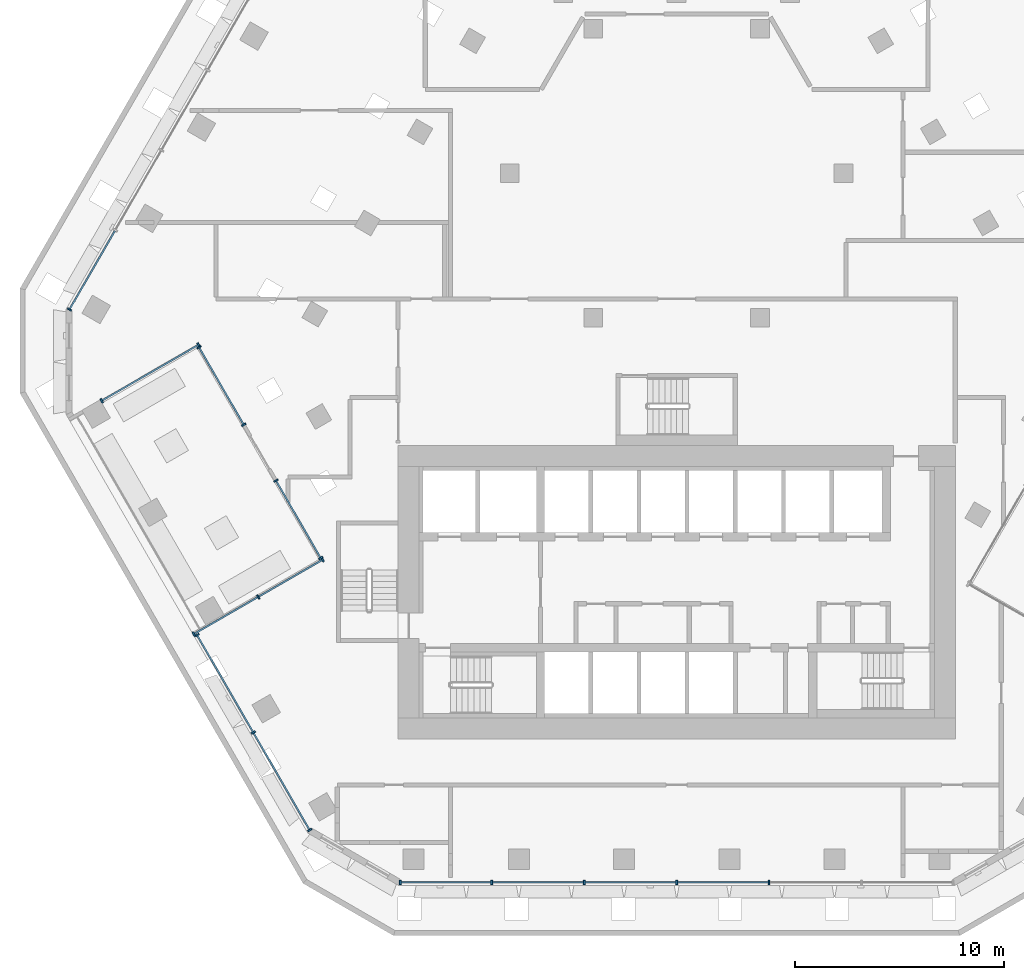
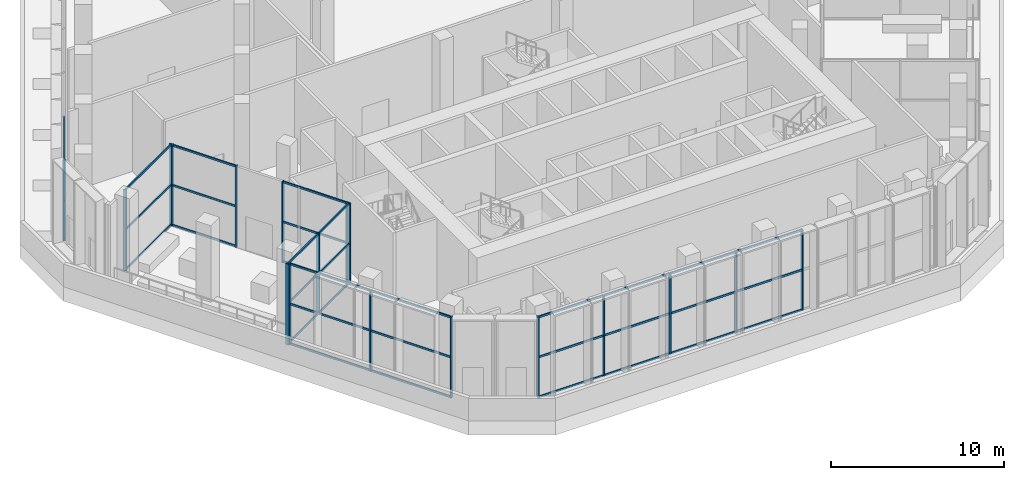
# One storey, part 2 of 23: 54 members, 7 elements without a shape of their own.
"""IFC4 building model written with IfcOpenShell, lengths in metres."""

import ifcopenshell
import ifcopenshell.guid

model = None  # the IFC model being written
_history = None  # IfcOwnerHistory: only IFC2X3 demands one
_inside = {}  # id of a spatial element -> (the spatial element, [elements in it])
_under = {}  # id of a project, library or spatial element -> (it, [spatial elements below it])
_declared = {}  # id of a project -> (the project, [libraries it declares])
_typed = {}  # id of a type object -> (the type object, [elements of that type])
_made_of = {}  # id of a material, layer set ... -> (it, [elements and type objects made of it])


def new_model(schema):
    """Start an empty IFC model of exactly this schema.

    Asked for "IFC4X3", IfcOpenShell would pick the latest addendum, in which some entities
    have other attributes; the version numbers below select the first issue.
    IFC2X3 requires an IfcOwnerHistory on every rooted entity: one is made here for all.
    """
    global model, _history
    if schema == "IFC4X3":
        model = ifcopenshell.file(schema_version=(4, 3, 0, 0))
    else:
        model = ifcopenshell.file(schema=schema)
    _inside.clear()
    _under.clear()
    _declared.clear()
    _typed.clear()
    _made_of.clear()
    _history = None
    if model.schema == "IFC2X3":
        org = make("IfcOrganization", Name="unknown")
        user = make(
            "IfcPersonAndOrganization",
            ThePerson=make("IfcPerson", FamilyName="unknown"),
            TheOrganization=org,
        )
        app = make(
            "IfcApplication",
            ApplicationDeveloper=org,
            Version="unknown",
            ApplicationFullName="unknown",
            ApplicationIdentifier="unknown",
        )
        _history = make(
            "IfcOwnerHistory",
            OwningUser=user,
            OwningApplication=app,
            ChangeAction="ADDED",
            CreationDate=0,
        )
    return model


def make(cls, **values):
    """One entity of the class cls with the attributes given. An attribute that is None is left unset."""
    return model.create_entity(
        cls, **{name: value for name, value in values.items() if value is not None}
    )


def rooted(cls, **values):
    """An entity with a GlobalId (a new one), such as an element, a storey or a relation."""
    return make(cls, GlobalId=ifcopenshell.guid.new(), OwnerHistory=_history, **values)


def si_unit(unit_type, name, prefix=None):
    """IfcSIUnit, for example si_unit("LENGTHUNIT", "METRE", prefix="MILLI")."""
    return make("IfcSIUnit", UnitType=unit_type, Prefix=prefix, Name=name)


def assignment(units):
    """IfcUnitAssignment: the units of a project."""
    return None if units is None else make("IfcUnitAssignment", Units=units)


def point(xyz):
    """IfcCartesianPoint."""
    return None if xyz is None else make("IfcCartesianPoint", Coordinates=xyz)


def direction(xyz):
    """IfcDirection."""
    return None if xyz is None else make("IfcDirection", DirectionRatios=xyz)


def frame(location, z_axis=None, x_axis=None):
    """IfcAxis2Placement3D, a coordinate frame: its origin and axes. An axis left out is left unset."""
    return make(
        "IfcAxis2Placement3D",
        Location=point(location),
        Axis=direction(z_axis),
        RefDirection=direction(x_axis),
    )


def frame_2d(location, x_axis=None):
    """IfcAxis2Placement2D, a coordinate frame in the plane: its origin and x axis."""
    return make(
        "IfcAxis2Placement2D", Location=point(location), RefDirection=direction(x_axis)
    )


def origin():
    """The frame at (0, 0, 0) with its axes left unset."""
    return frame((0.0, 0.0, 0.0))


def origin_2d():
    """The frame at (0, 0) in the plane with its x axis left unset."""
    return frame_2d((0.0, 0.0))


def place(relative_to, where):
    """IfcLocalPlacement: puts the frame where relative to a parent placement (None: the world)."""
    return make(
        "IfcLocalPlacement", PlacementRelTo=relative_to, RelativePlacement=where
    )


def context(
    kind, dimensions, precision=None, world=None, true_north=None, identifier=None
):
    """IfcGeometricRepresentationContext, for example the 3D "Model" context."""
    return make(
        "IfcGeometricRepresentationContext",
        ContextIdentifier=identifier,
        ContextType=kind,
        CoordinateSpaceDimension=dimensions,
        Precision=precision,
        WorldCoordinateSystem=world,
        TrueNorth=true_north,
    )


def subcontext(parent, identifier, kind, view, scale=None):
    """IfcGeometricRepresentationSubContext, for example "Body" below "Model"."""
    return make(
        "IfcGeometricRepresentationSubContext",
        ContextIdentifier=identifier,
        ContextType=kind,
        ParentContext=parent,
        TargetScale=scale,
        TargetView=view,
    )


def project(units=None, contexts=None):
    """IfcProject with its units and contexts."""
    return rooted(
        "IfcProject",
        Name="project",
        RepresentationContexts=contexts,
        UnitsInContext=assignment(units),
    )


def spatial(cls, under=None, at=None, **own):
    """A site, building, storey or space (cls), placed at a placement, below another one or the project."""
    s = rooted(cls, ObjectPlacement=at, **own)
    if under is not None:
        _under.setdefault(under.id(), (under, []))[1].append(s)
    return s


def profile(cls, at=None, kind="AREA", **sizes):
    """A parametric profile (cls). Its sizes go by their IFC names, for example OverallWidth=200.0."""
    return make(cls, ProfileType=kind, Position=at, **sizes)


def rectangle(**sizes):
    """IfcRectangleProfileDef."""
    return profile("IfcRectangleProfileDef", **sizes)


def hollow_rectangle(**sizes):
    """IfcRectangleHollowProfileDef."""
    return profile("IfcRectangleHollowProfileDef", **sizes)


def extrude(swept, where, along, depth):
    """IfcExtrudedAreaSolid: the profile swept, set in the frame where, extruded along a direction by depth."""
    return make(
        "IfcExtrudedAreaSolid",
        SweptArea=swept,
        Position=where,
        ExtrudedDirection=direction(along),
        Depth=depth,
    )


def shape(context_of_items, identifier, shape_type, items):
    """IfcShapeRepresentation: the items that make up one representation, for example the "Body"."""
    return make(
        "IfcShapeRepresentation",
        ContextOfItems=context_of_items,
        RepresentationIdentifier=identifier,
        RepresentationType=shape_type,
        Items=items,
    )


def material(Name=None, Category=None):
    """IfcMaterial."""
    return make("IfcMaterial", Name=Name, Category=Category)


def material_profile(
    of_material, cross_section, Name=None, Category=None, Priority=None
):
    """IfcMaterialProfile: a cross section and its material."""
    return make(
        "IfcMaterialProfile",
        Name=Name,
        Material=of_material,
        Profile=cross_section,
        Priority=Priority,
        Category=Category,
    )


def profile_set(profiles, Name=None, composite=None):
    """IfcMaterialProfileSet."""
    return make(
        "IfcMaterialProfileSet",
        Name=Name,
        MaterialProfiles=profiles,
        CompositeProfile=composite,
    )


def made_of(thing, what):
    """Note that an element or type object is made of a material, layer set ...; save() writes the relation."""
    if what is not None:
        _made_of.setdefault(what.id(), (what, []))[1].append(thing)
    return thing


def type_object(cls, material=None, **own):
    """A type object (cls), such as IfcWallType, which elements share."""
    return made_of(rooted(cls, **own), material)


def element(
    cls,
    number,
    at=None,
    inside=None,
    cuts=None,
    type_object=None,
    material=None,
    context=None,
    identifier="Body",
    shape_type=None,
    held_by="IfcProductDefinitionShape",
    body=None,
    shapes=None,
    **own,
):
    """One element of the class cls, such as IfcWall. Its Tag is "e" and its number.

    at: its placement. inside: the storey or other place that contains it. cuts: it is an
    opening in that element (IfcRelVoidsElement). A single representation is given by context,
    identifier, shape_type and body (its items); several are given by shapes. held_by: the class
    of the entity that holds the representations. save() writes the other relations.
    """
    e = rooted(cls, Tag="e%d" % number, ObjectPlacement=at, **own)
    if body is not None:
        shapes = [shape(context, identifier, shape_type, body)]
    if shapes is not None:
        e.Representation = make(held_by, Representations=shapes)
    if inside is not None:
        _inside.setdefault(inside.id(), (inside, []))[1].append(e)
    if cuts is not None:
        rooted(
            "IfcRelVoidsElement", RelatingBuildingElement=cuts, RelatedOpeningElement=e
        )
    if type_object is not None:
        _typed.setdefault(type_object.id(), (type_object, []))[1].append(e)
    return made_of(e, material)


def aggregate(whole, parts):
    """IfcRelAggregates: a whole, such as a stair, and the parts it consists of."""
    return rooted("IfcRelAggregates", RelatingObject=whole, RelatedObjects=parts)


def save(model, path):
    """Write the relations noted so far, then the file.

    IfcRelAggregates (storeys below a building ...), IfcRelContainedInSpatialStructure (elements
    in a storey), IfcRelDefinesByType, IfcRelAssociatesMaterial and IfcRelDeclares: one each for
    every whole, place, type object, material and project.
    """
    for whole, parts in _under.values():
        aggregate(whole, parts)
    for where, things in _inside.values():
        rooted(
            "IfcRelContainedInSpatialStructure",
            RelatedElements=things,
            RelatingStructure=where,
        )
    for kind, things in _typed.values():
        rooted("IfcRelDefinesByType", RelatedObjects=things, RelatingType=kind)
    for what, things in _made_of.values():
        rooted("IfcRelAssociatesMaterial", RelatedObjects=things, RelatingMaterial=what)
    for by, libraries in _declared.values():
        rooted("IfcRelDeclares", RelatingContext=by, RelatedDefinitions=libraries)
    model.write(path)


model = new_model("IFC4")

# Units and contexts
model_context = context("Model", 3, precision=1e-05, world=origin(), true_north=direction((0.0, 1.0)))
body_context = subcontext(model_context, "Body", "Model", "MODEL_VIEW")
ifc_project = project(units=[si_unit("LENGTHUNIT", "METRE"), si_unit("AREAUNIT", "SQUARE_METRE"), si_unit("VOLUMEUNIT", "CUBIC_METRE"), si_unit("PLANEANGLEUNIT", "RADIAN"), si_unit("MASSUNIT", "GRAM", prefix="KILO")], contexts=[model_context])

# Site, building, storey
site_placement = place(None, origin())
site = spatial("IfcSite", under=ifc_project, at=site_placement, CompositionType="ELEMENT")
building_placement = place(site_placement, origin())
building = spatial("IfcBuilding", under=site, at=building_placement, Name="Beryl Residences", CompositionType="ELEMENT")
storey_placement = place(building_placement, frame((0.0, 0.0, 66.0)))
storey = spatial("IfcBuildingStorey", under=building, at=storey_placement, Name="L20", CompositionType="ELEMENT", Elevation=66.0)

# Curtain wall, member
ifc_material_1 = material(Name="Aluminium and clear glass", Category="aluminium")
curtain_wall_type = type_object("IfcCurtainWallType", Name="CW3 sky garden glazing glazed wall", PredefinedType="NOTDEFINED", material=ifc_material_1)
curtain_wall_1_placement = place(storey_placement, origin())
curtain_wall_1 = element("IfcCurtainWall", 1, at=curtain_wall_1_placement, inside=storey, type_object=curtain_wall_type, Name="CW3 L20 NW", PredefinedType="NOTDEFINED")
ifc_material_2 = material(Name="Aluminium", Category="aluminium")
ifc_material_profile_1 = material_profile(ifc_material_2, rectangle(XDim=0.080078125, YDim=0.219970703125, at=origin_2d()))
ifc_profile_set_1 = profile_set([ifc_material_profile_1], Name="Aluminium")
member_type_1 = type_object("IfcMemberType", Name="CW3-M mullion 80 x 220 mm", PredefinedType="MULLION", material=ifc_profile_set_1)
member_1_placement = place(storey_placement, frame((-28.987060546875, 1.49462890625, 0.0), z_axis=(0.0, 0.0, 1.0), x_axis=(-0.500010149942, -0.866019543634, 0.0)))
member_1 = element("IfcMember", 2, at=member_1_placement, type_object=member_type_1, Name="CW3 mullion 7", PredefinedType="MULLION", context=body_context, shape_type="SweptSolid", body=[
    extrude(rectangle(XDim=0.080078125, YDim=0.219970703125, at=origin_2d()), origin(), (0.0, 0.0, 1.0), 5.699951171875),
])

# Curtain wall, members
curtain_wall_2_placement = place(storey_placement, origin())
curtain_wall_2 = element("IfcCurtainWall", 3, at=curtain_wall_2_placement, inside=storey, type_object=curtain_wall_type, Name="CW3 L20 SW", PredefinedType="NOTDEFINED")
member_2_placement = place(storey_placement, frame((-22.89599609375, -14.044677734375, 0.0), z_axis=(0.0, 0.0, 1.0), x_axis=(0.50003146918, -0.866007234283, 0.0)))
member_2 = element("IfcMember", 4, at=member_2_placement, type_object=member_type_1, Name="CW3 mullion 1", PredefinedType="MULLION", context=body_context, shape_type="SweptSolid", body=[
    extrude(rectangle(XDim=0.080078125, YDim=0.219970703125, at=origin_2d()), origin(), (0.0, 0.0, 1.0), 5.699951171875),
])
member_3_placement = place(storey_placement, frame((-20.2080078125, -18.699951171875, 0.0), z_axis=(0.0, 0.0, 1.0), x_axis=(0.50003146918, -0.866007234283, 0.0)))
member_3 = element("IfcMember", 5, at=member_3_placement, type_object=member_type_1, Name="CW3 mullion 2", PredefinedType="MULLION", context=body_context, shape_type="SweptSolid", body=[
    extrude(rectangle(XDim=0.080078125, YDim=0.219970703125, at=origin_2d()), origin(), (0.0, 0.0, 1.0), 5.699951171875),
])
member_4_placement = place(storey_placement, frame((-17.52001953125, -23.35546875, 0.0), z_axis=(0.0, 0.0, 1.0), x_axis=(0.50003146918, -0.866007234283, 0.0)))
member_4 = element("IfcMember", 6, at=member_4_placement, type_object=member_type_1, Name="CW3 mullion 3", PredefinedType="MULLION", context=body_context, shape_type="SweptSolid", body=[
    extrude(rectangle(XDim=0.080078125, YDim=0.219970703125, at=origin_2d()), origin(), (0.0, 0.0, 1.0), 5.699951171875),
])

curtain_wall_3_placement = place(storey_placement, origin())
curtain_wall_3 = element("IfcCurtainWall", 7, at=curtain_wall_3_placement, inside=storey, type_object=curtain_wall_type, Name="CW3 L20 S", PredefinedType="NOTDEFINED")
member_5_placement = place(storey_placement, frame((-13.198974609375, -25.85009765625, 0.0), z_axis=(0.0, 0.0, 1.0), x_axis=(1.0, 0.0, 0.0)))
member_5 = element("IfcMember", 8, at=member_5_placement, type_object=member_type_1, Name="CW3 mullion 1", PredefinedType="MULLION", context=body_context, shape_type="SweptSolid", body=[
    extrude(rectangle(XDim=0.080078125, YDim=0.219970703125, at=origin_2d()), origin(), (0.0, 0.0, 1.0), 5.699951171875),
])
member_6_placement = place(storey_placement, frame((-8.825927734375, -25.85009765625, 0.0), z_axis=(0.0, 0.0, 1.0), x_axis=(1.0, 0.0, 0.0)))
member_6 = element("IfcMember", 9, at=member_6_placement, type_object=member_type_1, Name="CW3 mullion 2", PredefinedType="MULLION", context=body_context, shape_type="SweptSolid", body=[
    extrude(rectangle(XDim=0.080078125, YDim=0.219970703125, at=origin_2d()), origin(), (0.0, 0.0, 1.0), 5.699951171875),
])
member_7_placement = place(storey_placement, frame((-4.4130859375, -25.85009765625, 0.0), z_axis=(0.0, 0.0, 1.0), x_axis=(1.0, 0.0, 0.0)))
member_7 = element("IfcMember", 10, at=member_7_placement, type_object=member_type_1, Name="CW3 mullion 3", PredefinedType="MULLION", context=body_context, shape_type="SweptSolid", body=[
    extrude(rectangle(XDim=0.080078125, YDim=0.219970703125, at=origin_2d()), origin(), (0.0, 0.0, 1.0), 5.699951171875),
])
member_8_placement = place(storey_placement, frame((0.0, -25.85009765625, 0.0), z_axis=(0.0, 0.0, 1.0), x_axis=(1.0, 0.0, 0.0)))
member_8 = element("IfcMember", 11, at=member_8_placement, type_object=member_type_1, Name="CW3 mullion 4", PredefinedType="MULLION", context=body_context, shape_type="SweptSolid", body=[
    extrude(rectangle(XDim=0.080078125, YDim=0.219970703125, at=origin_2d()), origin(), (0.0, 0.0, 1.0), 5.699951171875),
])
member_9_placement = place(storey_placement, frame((4.4130859375, -25.85009765625, 0.0), z_axis=(0.0, 0.0, 1.0), x_axis=(1.0, 0.0, 0.0)))
member_9 = element("IfcMember", 12, at=member_9_placement, type_object=member_type_1, Name="CW3 mullion 5", PredefinedType="MULLION", context=body_context, shape_type="SweptSolid", body=[
    extrude(rectangle(XDim=0.080078125, YDim=0.219970703125, at=origin_2d()), origin(), (0.0, 0.0, 1.0), 5.699951171875),
])

curtain_wall_4_placement = place(storey_placement, origin())
curtain_wall_4 = element("IfcCurtainWall", 13, at=curtain_wall_4_placement, inside=storey, type_object=curtain_wall_type, Name="CW3 L20 SW garden back", PredefinedType="NOTDEFINED")
member_10_placement = place(storey_placement, frame((-22.801025390625, -0.30859375, 0.0), z_axis=(0.0, 0.0, 1.0), x_axis=(0.499948064448, -0.866055386713, 0.0)))
member_10 = element("IfcMember", 14, at=member_10_placement, type_object=member_type_1, Name="CW3 mullion 1", PredefinedType="MULLION", context=body_context, shape_type="SweptSolid", body=[
    extrude(rectangle(XDim=0.080078125, YDim=0.219970703125, at=origin_2d()), origin(), (0.0, 0.0, 1.0), 5.699951171875),
])
member_11_placement = place(storey_placement, frame((-20.6669921875, -4.00537109375, 0.0), z_axis=(0.0, 0.0, 1.0), x_axis=(0.499948064448, -0.866055386713, 0.0)))
member_11 = element("IfcMember", 15, at=member_11_placement, type_object=member_type_1, Name="CW3 mullion 2", PredefinedType="MULLION", context=body_context, shape_type="SweptSolid", body=[
    extrude(rectangle(XDim=0.080078125, YDim=0.219970703125, at=origin_2d()), origin(), (0.0, 0.0, 1.0), 5.699951171875),
])

curtain_wall_5_placement = place(storey_placement, origin())
curtain_wall_5 = element("IfcCurtainWall", 16, at=curtain_wall_5_placement, inside=storey, type_object=curtain_wall_type, Name="CW3 L20 SW garden back", PredefinedType="NOTDEFINED")
member_12_placement = place(storey_placement, frame((-19.126953125, -6.672607421875, 0.0), z_axis=(0.0, 0.0, 1.0), x_axis=(0.500020955207, -0.866013304952, 0.0)))
member_12 = element("IfcMember", 17, at=member_12_placement, type_object=member_type_1, Name="CW3 mullion 1", PredefinedType="MULLION", context=body_context, shape_type="SweptSolid", body=[
    extrude(rectangle(XDim=0.080078125, YDim=0.219970703125, at=origin_2d()), origin(), (0.0, 0.0, 1.0), 5.699951171875),
])
member_13_placement = place(storey_placement, frame((-16.991943359375, -10.370361328125, 0.0), z_axis=(0.0, 0.0, 1.0), x_axis=(0.500020955207, -0.866013304952, 0.0)))
member_13 = element("IfcMember", 18, at=member_13_placement, type_object=member_type_1, Name="CW3 mullion 2", PredefinedType="MULLION", context=body_context, shape_type="SweptSolid", body=[
    extrude(rectangle(XDim=0.080078125, YDim=0.219970703125, at=origin_2d()), origin(), (0.0, 0.0, 1.0), 5.699951171875),
])

curtain_wall_6_placement = place(storey_placement, origin())
curtain_wall_6 = element("IfcCurtainWall", 19, at=curtain_wall_6_placement, inside=storey, type_object=curtain_wall_type, Name="CW3 L20 SW garden left", PredefinedType="NOTDEFINED")
member_14_placement = place(storey_placement, frame((-27.452392578125, -2.862060546875, 0.0), z_axis=(0.0, 0.0, 1.0), x_axis=(0.866031967745, 0.499988630715, 0.0)))
member_14 = element("IfcMember", 20, at=member_14_placement, type_object=member_type_1, Name="CW3 mullion 1", PredefinedType="MULLION", context=body_context, shape_type="SweptSolid", body=[
    extrude(rectangle(XDim=0.080078125, YDim=0.219970703125, at=origin_2d()), origin(), (0.0, 0.0, 1.0), 5.699951171875),
])
member_15_placement = place(storey_placement, frame((-22.82763671875, -0.19189453125, 0.0), z_axis=(0.0, 0.0, 1.0), x_axis=(0.866031967745, 0.499988630715, 0.0)))
member_15 = element("IfcMember", 21, at=member_15_placement, type_object=member_type_1, Name="CW3 mullion 2", PredefinedType="MULLION", context=body_context, shape_type="SweptSolid", body=[
    extrude(rectangle(XDim=0.080078125, YDim=0.219970703125, at=origin_2d()), origin(), (0.0, 0.0, 1.0), 5.699951171875),
])

curtain_wall_7_placement = place(storey_placement, origin())
curtain_wall_7 = element("IfcCurtainWall", 22, at=curtain_wall_7_placement, inside=storey, type_object=curtain_wall_type, Name="CW3 L20 SW garden right", PredefinedType="NOTDEFINED")
member_16_placement = place(storey_placement, frame((-23.04833984375, -14.0, 0.0), z_axis=(0.0, 0.0, 1.0), x_axis=(0.866004557823, 0.500036104527, 0.0)))
member_16 = element("IfcMember", 23, at=member_16_placement, type_object=member_type_1, Name="CW3 mullion 1", PredefinedType="MULLION", context=body_context, shape_type="SweptSolid", body=[
    extrude(rectangle(XDim=0.080078125, YDim=0.219970703125, at=origin_2d()), origin(), (0.0, 0.0, 1.0), 5.699951171875),
])
member_17_placement = place(storey_placement, frame((-19.97607421875, -12.22607421875, 0.0), z_axis=(0.0, 0.0, 1.0), x_axis=(0.866004557823, 0.500036104527, 0.0)))
member_17 = element("IfcMember", 24, at=member_17_placement, type_object=member_type_1, Name="CW3 mullion 2", PredefinedType="MULLION", context=body_context, shape_type="SweptSolid", body=[
    extrude(rectangle(XDim=0.080078125, YDim=0.219970703125, at=origin_2d()), origin(), (0.0, 0.0, 1.0), 5.699951171875),
])
member_18_placement = place(storey_placement, frame((-16.903564453125, -10.451904296875, 0.0), z_axis=(0.0, 0.0, 1.0), x_axis=(0.866004557823, 0.500036104527, 0.0)))
member_18 = element("IfcMember", 25, at=member_18_placement, type_object=member_type_1, Name="CW3 mullion 3", PredefinedType="MULLION", context=body_context, shape_type="SweptSolid", body=[
    extrude(rectangle(XDim=0.080078125, YDim=0.219970703125, at=origin_2d()), origin(), (0.0, 0.0, 1.0), 5.699951171875),
])

# Member
ifc_material_3 = material(Name="Aluminium", Category="aluminium")
ifc_material_profile_2 = material_profile(ifc_material_3, hollow_rectangle(XDim=0.080078125, YDim=0.139892578125, WallThickness=0.00390625, at=origin_2d()))
ifc_profile_set_2 = profile_set([ifc_material_profile_2], Name="Aluminium")
member_type_2 = type_object("IfcMemberType", Name="CW3-T transom 80 x 140 mm", PredefinedType="USERDEFINED", material=ifc_profile_set_2)
member_19_placement = place(storey_placement, frame((-26.820556640625, 5.2470703125, 0.0400390625), z_axis=(-0.500004696101, -0.866022692473, 0.0), x_axis=(0.866022692473, -0.500004696101, 0.0)))
member_19 = element("IfcMember", 26, at=member_19_placement, type_object=member_type_2, Name="CW3 transom 6.1", ObjectType="TRANSOM", PredefinedType="USERDEFINED", context=body_context, shape_type="SweptSolid", body=[
    extrude(hollow_rectangle(XDim=0.080078125, YDim=0.139892578125, WallThickness=0.00390625, at=origin_2d()), origin(), (0.0, 0.0, 1.0), 4.29296875),
])

member_20_placement = place(storey_placement, frame((-26.820556640625, 5.2470703125, 2.85009765625), z_axis=(-0.500004696101, -0.866022692473, 0.0), x_axis=(0.866022692473, -0.500004696101, 0.0)))
member_20 = element("IfcMember", 27, at=member_20_placement, type_object=member_type_2, Name="CW3 transom 6.2", ObjectType="TRANSOM", PredefinedType="USERDEFINED", context=body_context, shape_type="SweptSolid", body=[
    extrude(hollow_rectangle(XDim=0.080078125, YDim=0.139892578125, WallThickness=0.00390625, at=origin_2d()), origin(), (0.0, 0.0, 1.0), 4.29296875),
])

member_21_placement = place(storey_placement, frame((-26.820556640625, 5.2470703125, 5.659912109375), z_axis=(-0.500004696101, -0.866022692473, 0.0), x_axis=(0.866022692473, -0.500004696101, 0.0)))
member_21 = element("IfcMember", 28, at=member_21_placement, type_object=member_type_2, Name="CW3 transom 6.3", ObjectType="TRANSOM", PredefinedType="USERDEFINED", context=body_context, shape_type="SweptSolid", body=[
    extrude(hollow_rectangle(XDim=0.080078125, YDim=0.139892578125, WallThickness=0.00390625, at=origin_2d()), origin(), (0.0, 0.0, 1.0), 4.29296875),
])

aggregate(curtain_wall_1, [member_1, member_19, member_20, member_21])

member_22_placement = place(storey_placement, frame((-22.8759765625, -14.079345703125, 0.0400390625), z_axis=(0.500036393857, -0.866004390762, 0.0), x_axis=(0.866004390762, 0.500036393857, 0.0)))
member_22 = element("IfcMember", 29, at=member_22_placement, type_object=member_type_2, Name="CW3 transom 1.1", ObjectType="TRANSOM", PredefinedType="USERDEFINED", context=body_context, shape_type="SweptSolid", body=[
    extrude(hollow_rectangle(XDim=0.080078125, YDim=0.139892578125, WallThickness=0.00390625, at=origin_2d()), origin(), (0.0, 0.0, 1.0), 5.29541015625),
])

member_23_placement = place(storey_placement, frame((-22.8759765625, -14.079345703125, 2.85009765625), z_axis=(0.500036393857, -0.866004390762, 0.0), x_axis=(0.866004390762, 0.500036393857, 0.0)))
member_23 = element("IfcMember", 30, at=member_23_placement, type_object=member_type_2, Name="CW3 transom 1.2", ObjectType="TRANSOM", PredefinedType="USERDEFINED", context=body_context, shape_type="SweptSolid", body=[
    extrude(hollow_rectangle(XDim=0.080078125, YDim=0.139892578125, WallThickness=0.00390625, at=origin_2d()), origin(), (0.0, 0.0, 1.0), 5.29541015625),
])

member_24_placement = place(storey_placement, frame((-22.8759765625, -14.079345703125, 5.659912109375), z_axis=(0.500036393857, -0.866004390762, 0.0), x_axis=(0.866004390762, 0.500036393857, 0.0)))
member_24 = element("IfcMember", 31, at=member_24_placement, type_object=member_type_2, Name="CW3 transom 1.3", ObjectType="TRANSOM", PredefinedType="USERDEFINED", context=body_context, shape_type="SweptSolid", body=[
    extrude(hollow_rectangle(XDim=0.080078125, YDim=0.139892578125, WallThickness=0.00390625, at=origin_2d()), origin(), (0.0, 0.0, 1.0), 5.29541015625),
])

member_25_placement = place(storey_placement, frame((-20.18798828125, -18.734619140625, 0.0400390625), z_axis=(0.500016430238, -0.866015917575, 0.0), x_axis=(0.866015917575, 0.500016430238, 0.0)))
member_25 = element("IfcMember", 32, at=member_25_placement, type_object=member_type_2, Name="CW3 transom 2.1", ObjectType="TRANSOM", PredefinedType="USERDEFINED", context=body_context, shape_type="SweptSolid", body=[
    extrude(hollow_rectangle(XDim=0.080078125, YDim=0.139892578125, WallThickness=0.00390625, at=origin_2d()), origin(), (0.0, 0.0, 1.0), 5.295654296875),
])

member_26_placement = place(storey_placement, frame((-20.18798828125, -18.734619140625, 2.85009765625), z_axis=(0.500016430238, -0.866015917575, 0.0), x_axis=(0.866015917575, 0.500016430238, 0.0)))
member_26 = element("IfcMember", 33, at=member_26_placement, type_object=member_type_2, Name="CW3 transom 2.2", ObjectType="TRANSOM", PredefinedType="USERDEFINED", context=body_context, shape_type="SweptSolid", body=[
    extrude(hollow_rectangle(XDim=0.080078125, YDim=0.139892578125, WallThickness=0.00390625, at=origin_2d()), origin(), (0.0, 0.0, 1.0), 5.295654296875),
])

member_27_placement = place(storey_placement, frame((-20.18798828125, -18.734619140625, 5.659912109375), z_axis=(0.500016430238, -0.866015917575, 0.0), x_axis=(0.866015917575, 0.500016430238, 0.0)))
member_27 = element("IfcMember", 34, at=member_27_placement, type_object=member_type_2, Name="CW3 transom 2.3", ObjectType="TRANSOM", PredefinedType="USERDEFINED", context=body_context, shape_type="SweptSolid", body=[
    extrude(hollow_rectangle(XDim=0.080078125, YDim=0.139892578125, WallThickness=0.00390625, at=origin_2d()), origin(), (0.0, 0.0, 1.0), 5.295654296875),
])

aggregate(curtain_wall_2, [member_2, member_3, member_4, member_22, member_23, member_24, member_25, member_26, member_27])

member_28_placement = place(storey_placement, frame((-13.158935546875, -25.85009765625, 0.0400390625), z_axis=(1.0, 0.0, 0.0), x_axis=(0.0, 1.0, 0.0)))
member_28 = element("IfcMember", 35, at=member_28_placement, type_object=member_type_2, Name="CW3 transom 1.1", ObjectType="TRANSOM", PredefinedType="USERDEFINED", context=body_context, shape_type="SweptSolid", body=[
    extrude(hollow_rectangle(XDim=0.080078125, YDim=0.139892578125, WallThickness=0.00390625, at=origin_2d()), origin(), (0.0, 0.0, 1.0), 4.29296875),
])

member_29_placement = place(storey_placement, frame((-13.158935546875, -25.85009765625, 2.85009765625), z_axis=(1.0, 0.0, 0.0), x_axis=(0.0, 1.0, 0.0)))
member_29 = element("IfcMember", 36, at=member_29_placement, type_object=member_type_2, Name="CW3 transom 1.2", ObjectType="TRANSOM", PredefinedType="USERDEFINED", context=body_context, shape_type="SweptSolid", body=[
    extrude(hollow_rectangle(XDim=0.080078125, YDim=0.139892578125, WallThickness=0.00390625, at=origin_2d()), origin(), (0.0, 0.0, 1.0), 4.29296875),
])

member_30_placement = place(storey_placement, frame((-13.158935546875, -25.85009765625, 5.659912109375), z_axis=(1.0, 0.0, 0.0), x_axis=(0.0, 1.0, 0.0)))
member_30 = element("IfcMember", 37, at=member_30_placement, type_object=member_type_2, Name="CW3 transom 1.3", ObjectType="TRANSOM", PredefinedType="USERDEFINED", context=body_context, shape_type="SweptSolid", body=[
    extrude(hollow_rectangle(XDim=0.080078125, YDim=0.139892578125, WallThickness=0.00390625, at=origin_2d()), origin(), (0.0, 0.0, 1.0), 4.29296875),
])

member_31_placement = place(storey_placement, frame((-8.785888671875, -25.85009765625, 0.0400390625), z_axis=(1.0, 0.0, 0.0), x_axis=(0.0, 1.0, 0.0)))
member_31 = element("IfcMember", 38, at=member_31_placement, type_object=member_type_2, Name="CW3 transom 2.1", ObjectType="TRANSOM", PredefinedType="USERDEFINED", context=body_context, shape_type="SweptSolid", body=[
    extrude(hollow_rectangle(XDim=0.080078125, YDim=0.139892578125, WallThickness=0.00390625, at=origin_2d()), origin(), (0.0, 0.0, 1.0), 4.3330078125),
])

member_32_placement = place(storey_placement, frame((-8.785888671875, -25.85009765625, 2.85009765625), z_axis=(1.0, 0.0, 0.0), x_axis=(0.0, 1.0, 0.0)))
member_32 = element("IfcMember", 39, at=member_32_placement, type_object=member_type_2, Name="CW3 transom 2.2", ObjectType="TRANSOM", PredefinedType="USERDEFINED", context=body_context, shape_type="SweptSolid", body=[
    extrude(hollow_rectangle(XDim=0.080078125, YDim=0.139892578125, WallThickness=0.00390625, at=origin_2d()), origin(), (0.0, 0.0, 1.0), 4.3330078125),
])

member_33_placement = place(storey_placement, frame((-8.785888671875, -25.85009765625, 5.659912109375), z_axis=(1.0, 0.0, 0.0), x_axis=(0.0, 1.0, 0.0)))
member_33 = element("IfcMember", 40, at=member_33_placement, type_object=member_type_2, Name="CW3 transom 2.3", ObjectType="TRANSOM", PredefinedType="USERDEFINED", context=body_context, shape_type="SweptSolid", body=[
    extrude(hollow_rectangle(XDim=0.080078125, YDim=0.139892578125, WallThickness=0.00390625, at=origin_2d()), origin(), (0.0, 0.0, 1.0), 4.3330078125),
])

member_34_placement = place(storey_placement, frame((-4.373046875, -25.85009765625, 0.0400390625), z_axis=(1.0, 0.0, 0.0), x_axis=(0.0, 1.0, 0.0)))
member_34 = element("IfcMember", 41, at=member_34_placement, type_object=member_type_2, Name="CW3 transom 3.1", ObjectType="TRANSOM", PredefinedType="USERDEFINED", context=body_context, shape_type="SweptSolid", body=[
    extrude(hollow_rectangle(XDim=0.080078125, YDim=0.139892578125, WallThickness=0.00390625, at=origin_2d()), origin(), (0.0, 0.0, 1.0), 4.3330078125),
])

member_35_placement = place(storey_placement, frame((-4.373046875, -25.85009765625, 2.85009765625), z_axis=(1.0, 0.0, 0.0), x_axis=(0.0, 1.0, 0.0)))
member_35 = element("IfcMember", 42, at=member_35_placement, type_object=member_type_2, Name="CW3 transom 3.2", ObjectType="TRANSOM", PredefinedType="USERDEFINED", context=body_context, shape_type="SweptSolid", body=[
    extrude(hollow_rectangle(XDim=0.080078125, YDim=0.139892578125, WallThickness=0.00390625, at=origin_2d()), origin(), (0.0, 0.0, 1.0), 4.3330078125),
])

member_36_placement = place(storey_placement, frame((-4.373046875, -25.85009765625, 5.659912109375), z_axis=(1.0, 0.0, 0.0), x_axis=(0.0, 1.0, 0.0)))
member_36 = element("IfcMember", 43, at=member_36_placement, type_object=member_type_2, Name="CW3 transom 3.3", ObjectType="TRANSOM", PredefinedType="USERDEFINED", context=body_context, shape_type="SweptSolid", body=[
    extrude(hollow_rectangle(XDim=0.080078125, YDim=0.139892578125, WallThickness=0.00390625, at=origin_2d()), origin(), (0.0, 0.0, 1.0), 4.3330078125),
])

member_37_placement = place(storey_placement, frame((0.0400390625, -25.85009765625, 0.0400390625), z_axis=(1.0, 0.0, 0.0), x_axis=(0.0, 1.0, 0.0)))
member_37 = element("IfcMember", 44, at=member_37_placement, type_object=member_type_2, Name="CW3 transom 4.1", ObjectType="TRANSOM", PredefinedType="USERDEFINED", context=body_context, shape_type="SweptSolid", body=[
    extrude(hollow_rectangle(XDim=0.080078125, YDim=0.139892578125, WallThickness=0.00390625, at=origin_2d()), origin(), (0.0, 0.0, 1.0), 4.3330078125),
])

member_38_placement = place(storey_placement, frame((0.0400390625, -25.85009765625, 2.85009765625), z_axis=(1.0, 0.0, 0.0), x_axis=(0.0, 1.0, 0.0)))
member_38 = element("IfcMember", 45, at=member_38_placement, type_object=member_type_2, Name="CW3 transom 4.2", ObjectType="TRANSOM", PredefinedType="USERDEFINED", context=body_context, shape_type="SweptSolid", body=[
    extrude(hollow_rectangle(XDim=0.080078125, YDim=0.139892578125, WallThickness=0.00390625, at=origin_2d()), origin(), (0.0, 0.0, 1.0), 4.3330078125),
])

member_39_placement = place(storey_placement, frame((0.0400390625, -25.85009765625, 5.659912109375), z_axis=(1.0, 0.0, 0.0), x_axis=(0.0, 1.0, 0.0)))
member_39 = element("IfcMember", 46, at=member_39_placement, type_object=member_type_2, Name="CW3 transom 4.3", ObjectType="TRANSOM", PredefinedType="USERDEFINED", context=body_context, shape_type="SweptSolid", body=[
    extrude(hollow_rectangle(XDim=0.080078125, YDim=0.139892578125, WallThickness=0.00390625, at=origin_2d()), origin(), (0.0, 0.0, 1.0), 4.3330078125),
])

aggregate(curtain_wall_3, [member_5, member_6, member_7, member_8, member_9, member_28, member_29, member_30, member_31, member_32, member_33, member_34, member_35, member_36, member_37, member_38, member_39])

member_40_placement = place(storey_placement, frame((-22.781005859375, -0.34326171875, 0.0400390625), z_axis=(0.499944465633, -0.866057464192, 0.0), x_axis=(0.866057464192, 0.499944465633, 0.0)))
member_40 = element("IfcMember", 47, at=member_40_placement, type_object=member_type_2, Name="CW3 transom 1.1", ObjectType="TRANSOM", PredefinedType="USERDEFINED", context=body_context, shape_type="SweptSolid", body=[
    extrude(hollow_rectangle(XDim=0.080078125, YDim=0.139892578125, WallThickness=0.00390625, at=origin_2d()), origin(), (0.0, 0.0, 1.0), 4.1884765625),
])

member_41_placement = place(storey_placement, frame((-22.781005859375, -0.34326171875, 2.85009765625), z_axis=(0.499944465633, -0.866057464192, 0.0), x_axis=(0.866057464192, 0.499944465633, 0.0)))
member_41 = element("IfcMember", 48, at=member_41_placement, type_object=member_type_2, Name="CW3 transom 1.2", ObjectType="TRANSOM", PredefinedType="USERDEFINED", context=body_context, shape_type="SweptSolid", body=[
    extrude(hollow_rectangle(XDim=0.080078125, YDim=0.139892578125, WallThickness=0.00390625, at=origin_2d()), origin(), (0.0, 0.0, 1.0), 4.1884765625),
])

member_42_placement = place(storey_placement, frame((-22.781005859375, -0.34326171875, 5.659912109375), z_axis=(0.499944465633, -0.866057464192, 0.0), x_axis=(0.866057464192, 0.499944465633, 0.0)))
member_42 = element("IfcMember", 49, at=member_42_placement, type_object=member_type_2, Name="CW3 transom 1.3", ObjectType="TRANSOM", PredefinedType="USERDEFINED", context=body_context, shape_type="SweptSolid", body=[
    extrude(hollow_rectangle(XDim=0.080078125, YDim=0.139892578125, WallThickness=0.00390625, at=origin_2d()), origin(), (0.0, 0.0, 1.0), 4.1884765625),
])

aggregate(curtain_wall_4, [member_10, member_11, member_40, member_41, member_42])

member_43_placement = place(storey_placement, frame((-19.10693359375, -6.707275390625, 0.0400390625), z_axis=(0.500018368146, -0.86601479867, 0.0), x_axis=(0.86601479867, 0.500018368146, 0.0)))
member_43 = element("IfcMember", 50, at=member_43_placement, type_object=member_type_2, Name="CW3 transom 1.1", ObjectType="TRANSOM", PredefinedType="USERDEFINED", context=body_context, shape_type="SweptSolid", body=[
    extrude(hollow_rectangle(XDim=0.080078125, YDim=0.139892578125, WallThickness=0.00390625, at=origin_2d()), origin(), (0.0, 0.0, 1.0), 4.189697265625),
])

member_44_placement = place(storey_placement, frame((-19.10693359375, -6.707275390625, 2.85009765625), z_axis=(0.500018368146, -0.86601479867, 0.0), x_axis=(0.86601479867, 0.500018368146, 0.0)))
member_44 = element("IfcMember", 51, at=member_44_placement, type_object=member_type_2, Name="CW3 transom 1.2", ObjectType="TRANSOM", PredefinedType="USERDEFINED", context=body_context, shape_type="SweptSolid", body=[
    extrude(hollow_rectangle(XDim=0.080078125, YDim=0.139892578125, WallThickness=0.00390625, at=origin_2d()), origin(), (0.0, 0.0, 1.0), 4.189697265625),
])

member_45_placement = place(storey_placement, frame((-19.10693359375, -6.707275390625, 5.659912109375), z_axis=(0.500018368146, -0.86601479867, 0.0), x_axis=(0.86601479867, 0.500018368146, 0.0)))
member_45 = element("IfcMember", 52, at=member_45_placement, type_object=member_type_2, Name="CW3 transom 1.3", ObjectType="TRANSOM", PredefinedType="USERDEFINED", context=body_context, shape_type="SweptSolid", body=[
    extrude(hollow_rectangle(XDim=0.080078125, YDim=0.139892578125, WallThickness=0.00390625, at=origin_2d()), origin(), (0.0, 0.0, 1.0), 4.189697265625),
])

aggregate(curtain_wall_5, [member_12, member_13, member_43, member_44, member_45])

member_46_placement = place(storey_placement, frame((-27.417724609375, -2.842041015625, 0.0400390625), z_axis=(0.866020955641, 0.500007704331, 0.0), x_axis=(-0.500007704331, 0.866020955641, 0.0)))
member_46 = element("IfcMember", 53, at=member_46_placement, type_object=member_type_2, Name="CW3 transom 1.1", ObjectType="TRANSOM", PredefinedType="USERDEFINED", context=body_context, shape_type="SweptSolid", body=[
    extrude(hollow_rectangle(XDim=0.080078125, YDim=0.139892578125, WallThickness=0.00390625, at=origin_2d()), origin(), (0.0, 0.0, 1.0), 5.26025390625),
])

member_47_placement = place(storey_placement, frame((-27.417724609375, -2.842041015625, 2.85009765625), z_axis=(0.866020955641, 0.500007704331, 0.0), x_axis=(-0.500007704331, 0.866020955641, 0.0)))
member_47 = element("IfcMember", 54, at=member_47_placement, type_object=member_type_2, Name="CW3 transom 1.2", ObjectType="TRANSOM", PredefinedType="USERDEFINED", context=body_context, shape_type="SweptSolid", body=[
    extrude(hollow_rectangle(XDim=0.080078125, YDim=0.139892578125, WallThickness=0.00390625, at=origin_2d()), origin(), (0.0, 0.0, 1.0), 5.26025390625),
])

member_48_placement = place(storey_placement, frame((-27.417724609375, -2.842041015625, 5.659912109375), z_axis=(0.866020955641, 0.500007704331, 0.0), x_axis=(-0.500007704331, 0.866020955641, 0.0)))
member_48 = element("IfcMember", 55, at=member_48_placement, type_object=member_type_2, Name="CW3 transom 1.3", ObjectType="TRANSOM", PredefinedType="USERDEFINED", context=body_context, shape_type="SweptSolid", body=[
    extrude(hollow_rectangle(XDim=0.080078125, YDim=0.139892578125, WallThickness=0.00390625, at=origin_2d()), origin(), (0.0, 0.0, 1.0), 5.26025390625),
])

aggregate(curtain_wall_6, [member_14, member_15, member_46, member_47, member_48])

member_49_placement = place(storey_placement, frame((-23.013671875, -13.97998046875, 0.0400390625), z_axis=(0.866007364299, 0.500031244004, 0.0), x_axis=(-0.500031244004, 0.866007364299, 0.0)))
member_49 = element("IfcMember", 56, at=member_49_placement, type_object=member_type_2, Name="CW3 transom 1.1", ObjectType="TRANSOM", PredefinedType="USERDEFINED", context=body_context, shape_type="SweptSolid", body=[
    extrude(hollow_rectangle(XDim=0.080078125, YDim=0.139892578125, WallThickness=0.00390625, at=origin_2d()), origin(), (0.0, 0.0, 1.0), 3.467529296875),
])

member_50_placement = place(storey_placement, frame((-23.013671875, -13.97998046875, 2.85009765625), z_axis=(0.866007364299, 0.500031244004, 0.0), x_axis=(-0.500031244004, 0.866007364299, 0.0)))
member_50 = element("IfcMember", 57, at=member_50_placement, type_object=member_type_2, Name="CW3 transom 1.2", ObjectType="TRANSOM", PredefinedType="USERDEFINED", context=body_context, shape_type="SweptSolid", body=[
    extrude(hollow_rectangle(XDim=0.080078125, YDim=0.139892578125, WallThickness=0.00390625, at=origin_2d()), origin(), (0.0, 0.0, 1.0), 3.467529296875),
])

member_51_placement = place(storey_placement, frame((-23.013671875, -13.97998046875, 5.659912109375), z_axis=(0.866007364299, 0.500031244004, 0.0), x_axis=(-0.500031244004, 0.866007364299, 0.0)))
member_51 = element("IfcMember", 58, at=member_51_placement, type_object=member_type_2, Name="CW3 transom 1.3", ObjectType="TRANSOM", PredefinedType="USERDEFINED", context=body_context, shape_type="SweptSolid", body=[
    extrude(hollow_rectangle(XDim=0.080078125, YDim=0.139892578125, WallThickness=0.00390625, at=origin_2d()), origin(), (0.0, 0.0, 1.0), 3.467529296875),
])

member_52_placement = place(storey_placement, frame((-19.94140625, -12.2060546875, 0.0400390625), z_axis=(0.865994480786, 0.50005355638, 0.0), x_axis=(-0.50005355638, 0.865994480786, 0.0)))
member_52 = element("IfcMember", 59, at=member_52_placement, type_object=member_type_2, Name="CW3 transom 2.1", ObjectType="TRANSOM", PredefinedType="USERDEFINED", context=body_context, shape_type="SweptSolid", body=[
    extrude(hollow_rectangle(XDim=0.080078125, YDim=0.139892578125, WallThickness=0.00390625, at=origin_2d()), origin(), (0.0, 0.0, 1.0), 3.4677734375),
])

member_53_placement = place(storey_placement, frame((-19.94140625, -12.2060546875, 2.85009765625), z_axis=(0.865994480786, 0.50005355638, 0.0), x_axis=(-0.50005355638, 0.865994480786, 0.0)))
member_53 = element("IfcMember", 60, at=member_53_placement, type_object=member_type_2, Name="CW3 transom 2.2", ObjectType="TRANSOM", PredefinedType="USERDEFINED", context=body_context, shape_type="SweptSolid", body=[
    extrude(hollow_rectangle(XDim=0.080078125, YDim=0.139892578125, WallThickness=0.00390625, at=origin_2d()), origin(), (0.0, 0.0, 1.0), 3.4677734375),
])

member_54_placement = place(storey_placement, frame((-19.94140625, -12.2060546875, 5.659912109375), z_axis=(0.865994480786, 0.50005355638, 0.0), x_axis=(-0.50005355638, 0.865994480786, 0.0)))
member_54 = element("IfcMember", 61, at=member_54_placement, type_object=member_type_2, Name="CW3 transom 2.3", ObjectType="TRANSOM", PredefinedType="USERDEFINED", context=body_context, shape_type="SweptSolid", body=[
    extrude(hollow_rectangle(XDim=0.080078125, YDim=0.139892578125, WallThickness=0.00390625, at=origin_2d()), origin(), (0.0, 0.0, 1.0), 3.4677734375),
])

aggregate(curtain_wall_7, [member_16, member_17, member_18, member_49, member_50, member_51, member_52, member_53, member_54])

save(model, "model.ifc")
